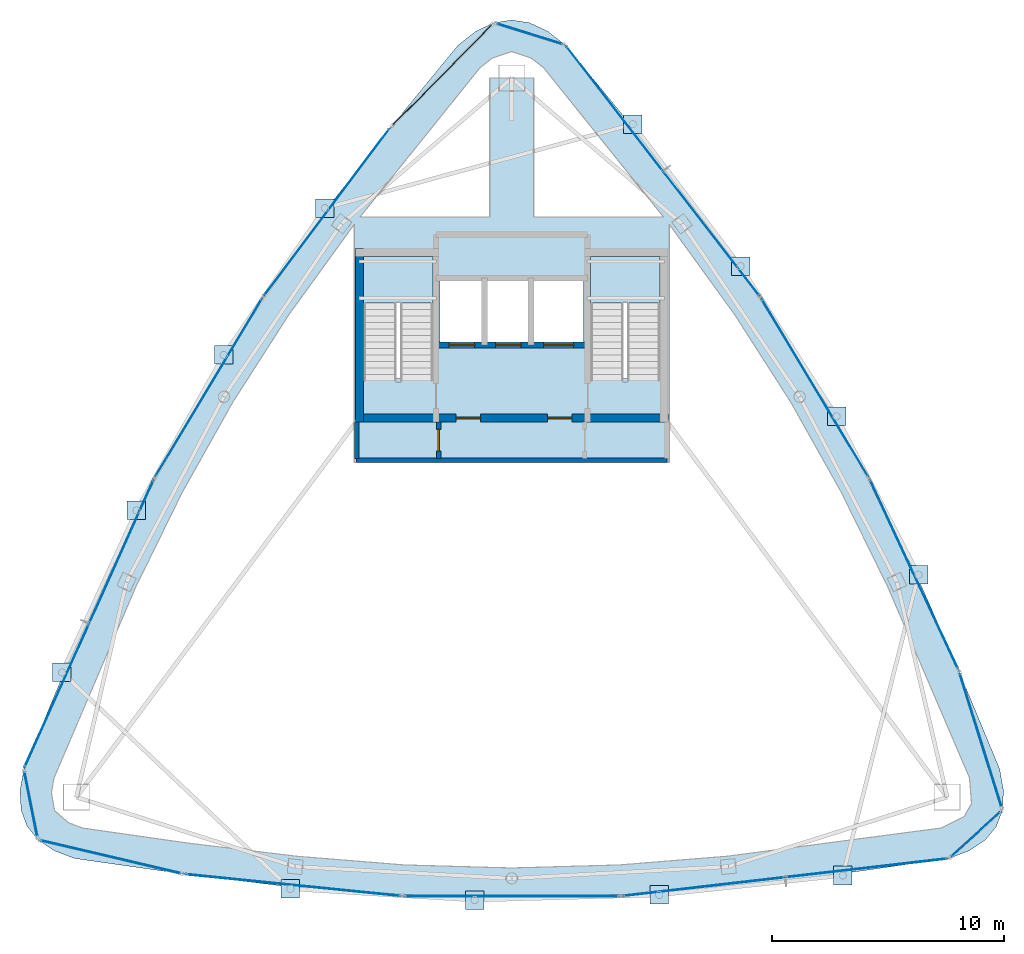
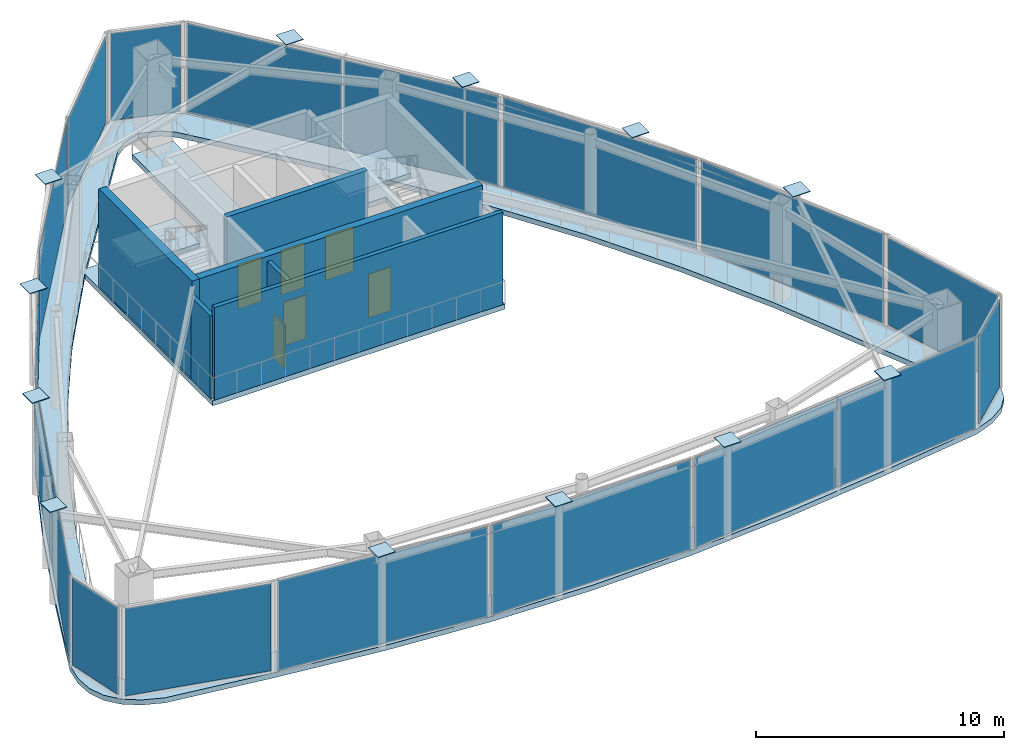
# One storey, part 15 of 19: 30 plates, 6 doors, 6 walls, 3 slabs, 6 openings, 17 elements without a shape of their own.
"""IFC4 building model written with IfcOpenShell, lengths in metres."""

from ifc_helpers import new_model, si_unit, direction, frame, frame_2d, origin, origin_2d, place, context, subcontext, project, spatial, polyline, rectangle, outline, extrude, material, layer, layer_set, type_object, element, fill, aggregate, save


model = new_model("IFC4")

# Units and contexts
model_context = context("Model", 3, precision=1e-05, world=origin(), true_north=direction((0.0, 1.0)))
body_context = subcontext(model_context, "Body", "Model", "MODEL_VIEW")
ifc_project = project(units=[si_unit("LENGTHUNIT", "METRE"), si_unit("AREAUNIT", "SQUARE_METRE"), si_unit("VOLUMEUNIT", "CUBIC_METRE"), si_unit("PLANEANGLEUNIT", "RADIAN"), si_unit("MASSUNIT", "GRAM", prefix="KILO")], contexts=[model_context])

# Site, building, storey
site_placement = place(None, origin())
site = spatial("IfcSite", under=ifc_project, at=site_placement, CompositionType="ELEMENT")
building_placement = place(site_placement, origin())
building = spatial("IfcBuilding", under=site, at=building_placement, Name="Orvanel Arch Residences", CompositionType="ELEMENT")
storey_placement = place(building_placement, frame((0.0, 0.0, 290.89990234375)))
storey = spatial("IfcBuildingStorey", under=building, at=storey_placement, Name="L82", CompositionType="ELEMENT", Elevation=290.89990234375)

# Plates
ifc_material_1 = material(Name="Structural steel AS/NZS 3678 Grade 350", Category="steel")
ifc_layer_1 = layer(ifc_material_1, 0.031982421875)
ifc_layer_set_1 = layer_set([ifc_layer_1], Name="Structural steel AS/NZS 3678 Grade 350")
plate_type_1 = type_object("IfcPlateType", Name="PL-CAP-32", PredefinedType="SHEET", material=ifc_layer_set_1)
for number, where, z_axis, x_axis, name in (
    (1, (24.929931640625, 35.785888671875, 4.7841796875), (0.0, 0.0, 1.0), (1.0, 0.0, 0.0), "L82 hollow member end cap plate"),
    (2, (20.56201171875, 29.446044921875, 4.7841796875), (0.0, 0.0, 1.0), (1.0, 0.0, 0.0), "L82 hollow member end cap plate"),
    (3, (16.794921875, 22.73388671875, 4.7841796875), (0.0, 0.0, 1.0), (1.0, 0.0, 0.0), "L82 hollow member end cap plate"),
    (4, (13.577880859375, 15.740966796875, 4.7841796875), (0.0, 0.0, 1.0), (1.0, 0.0, 0.0), "L82 hollow member end cap plate"),
    (5, (23.44189453125, 6.39404296875, 4.7841796875), (0.0, 0.0, 1.0), (1.0, 0.0, 0.0), "L82 hollow member end cap plate"),
    (6, (31.39892578125, 5.908935546875, 4.7841796875), (0.0, 0.0, 1.0), (1.0, 0.0, 0.0), "L82 hollow member end cap plate"),
    (7, (39.366943359375, 6.131103515625, 4.7841796875), (0.0, 0.0, 1.0), (1.0, 0.0, 0.0), "L82 hollow member end cap plate"),
    (8, (47.29296875, 6.969970703125, 4.7841796875), (0.0, 0.0, 1.0), (1.0, 0.0, 0.0), "L82 hollow member end cap plate"),
    (9, (50.56396484375, 19.9580078125, 4.7841796875), (0.0, 0.0, 1.0), (1.0, 0.0, 0.0), "L82 hollow member end cap plate"),
    (10, (47.027099609375, 26.7958984375, 4.7841796875), (0.0, 0.0, 1.0), (1.0, 0.0, 0.0), "L82 hollow member end cap plate"),
    (11, (42.87890625, 33.280029296875, 4.7841796875), (0.0, 0.0, 1.0), (1.0, 0.0, 0.0), "L82 hollow member end cap plate"),
    (12, (38.22412109375, 39.409912109375, 4.7841796875), (0.0, 0.0, 1.0), (1.0, 0.0, 0.0), "L82 hollow member end cap plate"),
):
    element("IfcPlate", number, at=place(storey_placement, frame(where, z_axis=z_axis, x_axis=x_axis)), inside=storey, type_object=plate_type_1, Name=name, PredefinedType="SHEET", context=body_context, shape_type="SweptSolid", body=[
        extrude(rectangle(XDim=0.800048828125, YDim=0.800048828125, at=origin_2d()), origin(), (0.0, 0.0, 1.0), 0.031982421875),
    ])

# Curtain wall, plate
ifc_material_2 = material(Name="Bronze-anodised aluminium AA6063-T6", Category="aluminium")
ifc_layer_2 = layer(ifc_material_2, 0.2099609375)
ifc_layer_set_2 = layer_set([ifc_layer_2], Name="Bronze-anodised aluminium AA6063-T6")
curtain_wall_type = type_object("IfcCurtainWallType", Name="CW7-TOP-SYS", PredefinedType="NOTDEFINED", material=ifc_layer_set_2)
curtain_wall_1_placement = place(storey_placement, origin())
curtain_wall_1 = element("IfcCurtainWall", 13, at=curtain_wall_1_placement, inside=storey, type_object=curtain_wall_type, Name="L82 CW7-TOP-SYS Unitised Curtain Wall", PredefinedType="NOTDEFINED")
ifc_material_3 = material(Name="Double-glazed solar-control low-E safety glass", Category="glass")
ifc_layer_3 = layer(ifc_material_3, 0.031982421875)
ifc_layer_set_3 = layer_set([ifc_layer_3], Name="Double-glazed solar-control low-E safety glass")
plate_type_2 = type_object("IfcPlateType", Name="PNL-GLZ-32", PredefinedType="CURTAIN_PANEL", material=ifc_layer_set_3)
plate_1_placement = place(storey_placement, frame((33.771484375, 43.30859375, 0.130126953125), z_axis=(0.0, 0.0, 1.0), x_axis=(-0.954819263057, 0.297187104186, 0.0)))
plate_1 = element("IfcPlate", 14, at=plate_1_placement, type_object=plate_type_2, Name="CW-S7 panel 1.1", PredefinedType="CURTAIN_PANEL", context=body_context, shape_type="SweptSolid", body=[
    extrude(rectangle(XDim=2.893310546875, YDim=0.031982421875, at=origin_2d()), origin(), (0.0, 0.0, 1.0), 4.2900390625),
])
aggregate(curtain_wall_1, [plate_1])

curtain_wall_2_placement = place(storey_placement, origin())
curtain_wall_2 = element("IfcCurtainWall", 15, at=curtain_wall_2_placement, inside=storey, type_object=curtain_wall_type, Name="L82 CW7-TOP-SYS Unitised Curtain Wall", PredefinedType="NOTDEFINED")
plate_2_placement = place(storey_placement, frame((29.99560546875, 41.528564453125, 0.130126953125), z_axis=(0.0, 0.0, 1.0), x_axis=(-0.702658700907, -0.71152705503, 0.0)))
plate_2 = element("IfcPlate", 16, at=plate_2_placement, type_object=plate_type_2, Name="CW-S7 panel 1.1", PredefinedType="CURTAIN_PANEL", context=body_context, shape_type="SweptSolid", body=[
    extrude(rectangle(XDim=6.0146484375, YDim=0.031982421875, at=origin_2d()), origin(), (0.0, 0.0, 1.0), 4.2900390625),
])
aggregate(curtain_wall_2, [plate_2])

curtain_wall_3_placement = place(storey_placement, origin())
curtain_wall_3 = element("IfcCurtainWall", 17, at=curtain_wall_3_placement, inside=storey, type_object=curtain_wall_type, Name="L82 CW7-TOP-SYS Unitised Curtain Wall", PredefinedType="NOTDEFINED")
plate_3_placement = place(storey_placement, frame((12.236572265625, 10.03857421875, 0.130126953125), z_axis=(0.0, 0.0, 1.0), x_axis=(0.195615366274, -0.980680696495, 0.0)))
plate_3 = element("IfcPlate", 18, at=plate_3_placement, type_object=plate_type_2, Name="CW-S7 panel 1.1", PredefinedType="CURTAIN_PANEL", context=body_context, shape_type="SweptSolid", body=[
    extrude(rectangle(XDim=2.7724609375, YDim=0.031982421875, at=origin_2d()), origin(), (0.0, 0.0, 1.0), 4.2900390625),
])
aggregate(curtain_wall_3, [plate_3])

curtain_wall_4_placement = place(storey_placement, origin())
curtain_wall_4 = element("IfcCurtainWall", 19, at=curtain_wall_4_placement, inside=storey, type_object=curtain_wall_type, Name="L82 CW7-TOP-SYS Unitised Curtain Wall", PredefinedType="NOTDEFINED")
plate_4_placement = place(storey_placement, frame((15.689453125, 7.77197265625, 0.130126953125), z_axis=(0.0, 0.0, 1.0), x_axis=(0.973510919271, -0.22864052585, 0.0)))
plate_4 = element("IfcPlate", 20, at=plate_4_placement, type_object=plate_type_2, Name="CW-S7 panel 1.1", PredefinedType="CURTAIN_PANEL", context=body_context, shape_type="SweptSolid", body=[
    extrude(rectangle(XDim=6.12939453125, YDim=0.031982421875, at=origin_2d()), origin(), (0.0, 0.0, 1.0), 4.2900390625),
])
aggregate(curtain_wall_4, [plate_4])

curtain_wall_5_placement = place(storey_placement, origin())
curtain_wall_5 = element("IfcCurtainWall", 21, at=curtain_wall_5_placement, inside=storey, type_object=curtain_wall_type, Name="L82 CW7-TOP-SYS Unitised Curtain Wall", PredefinedType="NOTDEFINED")
plate_5_placement = place(storey_placement, frame((53.035400390625, 8.75244140625, 0.130126953125), z_axis=(0.0, 0.0, 1.0), x_axis=(0.740131415499, 0.672462257522, 0.0)))
plate_5 = element("IfcPlate", 22, at=plate_5_placement, type_object=plate_type_2, Name="CW-S7 panel 1.1", PredefinedType="CURTAIN_PANEL", context=body_context, shape_type="SweptSolid", body=[
    extrude(rectangle(XDim=2.773681640625, YDim=0.031982421875, at=origin_2d()), origin(), (0.0, 0.0, 1.0), 4.2900390625),
])
aggregate(curtain_wall_5, [plate_5])

curtain_wall_6_placement = place(storey_placement, origin())
curtain_wall_6 = element("IfcCurtainWall", 23, at=curtain_wall_6_placement, inside=storey, type_object=curtain_wall_type, Name="L82 CW7-TOP-SYS Unitised Curtain Wall", PredefinedType="NOTDEFINED")
plate_6_placement = place(storey_placement, frame((53.2451171875, 12.8095703125, 0.130126953125), z_axis=(0.0, 0.0, 1.0), x_axis=(-0.298901573542, 0.954283945864, 0.0)))
plate_6 = element("IfcPlate", 24, at=plate_6_placement, type_object=plate_type_2, Name="CW-S7 panel 1.1", PredefinedType="CURTAIN_PANEL", context=body_context, shape_type="SweptSolid", body=[
    extrude(rectangle(XDim=5.9697265625, YDim=0.031982421875, at=origin_2d()), origin(), (0.0, 0.0, 1.0), 4.2900390625),
])
aggregate(curtain_wall_6, [plate_6])

curtain_wall_7_placement = place(storey_placement, origin())
curtain_wall_7 = element("IfcCurtainWall", 25, at=curtain_wall_7_placement, inside=storey, type_object=curtain_wall_type, Name="L82 CW7-TOP-SYS Unitised Curtain Wall", PredefinedType="NOTDEFINED")
plate_7_placement = place(storey_placement, frame((25.009521484375, 35.60498046875, 0.065185546875), z_axis=(0.0, 0.0, 1.0), x_axis=(-0.600876351509, -0.799341985759, 0.0)))
plate_7 = element("IfcPlate", 26, at=plate_7_placement, type_object=plate_type_2, Name="CW-S7 panel 1.1", PredefinedType="CURTAIN_PANEL", context=body_context, shape_type="SweptSolid", body=[
    extrude(rectangle(XDim=8.97509765625, YDim=0.031982421875, at=origin_2d()), origin(), (0.0, 0.0, 1.0), 4.419921875),
])
aggregate(curtain_wall_7, [plate_7])

curtain_wall_8_placement = place(storey_placement, origin())
curtain_wall_8 = element("IfcCurtainWall", 27, at=curtain_wall_8_placement, inside=storey, type_object=curtain_wall_type, Name="L82 CW7-TOP-SYS Unitised Curtain Wall", PredefinedType="NOTDEFINED")
plate_8_placement = place(storey_placement, frame((19.912109375, 28.034423828125, 0.065185546875), z_axis=(0.0, 0.0, 1.0), x_axis=(-0.514447133788, -0.857522096821, 0.0)))
plate_8 = element("IfcPlate", 28, at=plate_8_placement, type_object=plate_type_2, Name="CW-S7 panel 1.1", PredefinedType="CURTAIN_PANEL", context=body_context, shape_type="SweptSolid", body=[
    extrude(rectangle(XDim=8.923828125, YDim=0.031982421875, at=origin_2d()), origin(), (0.0, 0.0, 1.0), 4.419921875),
])
aggregate(curtain_wall_8, [plate_8])

# Curtain wall, plates
curtain_wall_9_placement = place(storey_placement, origin())
curtain_wall_9 = element("IfcCurtainWall", 29, at=curtain_wall_9_placement, inside=storey, type_object=curtain_wall_type, Name="L82 CW7-TOP-SYS Unitised Curtain Wall", PredefinedType="NOTDEFINED")
plate_9_placement = place(storey_placement, frame((16.147216796875, 20.96044921875, 0.065185546875), z_axis=(0.0, 0.0, 1.0), x_axis=(-0.40935286193, -0.912376147447, 0.0)))
plate_9 = element("IfcPlate", 30, at=plate_9_placement, type_object=plate_type_2, Name="CW-S7 panel 1.1", PredefinedType="CURTAIN_PANEL", context=body_context, shape_type="SweptSolid", body=[
    extrude(rectangle(XDim=6.751953125, YDim=0.031982421875, at=origin_2d()), origin(), (0.0, 0.0, 1.0), 4.419921875),
])
plate_10_placement = place(storey_placement, frame((13.352783203125, 14.731689453125, 0.065185546875), z_axis=(0.0, 0.0, 1.0), x_axis=(-0.40935286193, -0.912376147447, 0.0)))
plate_10 = element("IfcPlate", 31, at=plate_10_placement, type_object=plate_type_2, Name="CW-S7 panel 2.1", PredefinedType="CURTAIN_PANEL", context=body_context, shape_type="SweptSolid", body=[
    extrude(rectangle(XDim=6.751953125, YDim=0.031982421875, at=origin_2d()), origin(), (0.0, 0.0, 1.0), 4.419921875),
])
aggregate(curtain_wall_9, [plate_9, plate_10])

# Curtain wall, plate
curtain_wall_10_placement = place(storey_placement, origin())
curtain_wall_10 = element("IfcCurtainWall", 32, at=curtain_wall_10_placement, inside=storey, type_object=curtain_wall_type, Name="L82 CW7-TOP-SYS Unitised Curtain Wall", PredefinedType="NOTDEFINED")
plate_11_placement = place(storey_placement, frame((23.55859375, 6.554931640625, 0.065185546875), z_axis=(0.0, 0.0, 1.0), x_axis=(0.994932912487, -0.10054103466, 0.0)))
plate_11 = element("IfcPlate", 33, at=plate_11_placement, type_object=plate_type_2, Name="CW-S7 panel 1.1", PredefinedType="CURTAIN_PANEL", context=body_context, shape_type="SweptSolid", body=[
    extrude(rectangle(XDim=9.298828125, YDim=0.031982421875, at=origin_2d()), origin(), (0.0, 0.0, 1.0), 4.419921875),
])
aggregate(curtain_wall_10, [plate_11])

curtain_wall_11_placement = place(storey_placement, origin())
curtain_wall_11 = element("IfcCurtainWall", 34, at=curtain_wall_11_placement, inside=storey, type_object=curtain_wall_type, Name="L82 CW7-TOP-SYS Unitised Curtain Wall", PredefinedType="NOTDEFINED")
plate_12_placement = place(storey_placement, frame((33.0, 6.077880859375, 0.065185546875), z_axis=(0.0, 0.0, 1.0), x_axis=(1.0, 0.0, 0.0)))
plate_12 = element("IfcPlate", 35, at=plate_12_placement, type_object=plate_type_2, Name="CW-S7 panel 1.1", PredefinedType="CURTAIN_PANEL", context=body_context, shape_type="SweptSolid", body=[
    extrude(rectangle(XDim=9.251953125, YDim=0.031982421875, at=origin_2d()), origin(), (0.0, 0.0, 1.0), 4.419921875),
])
aggregate(curtain_wall_11, [plate_12])

# Curtain wall, plates
curtain_wall_12_placement = place(storey_placement, origin())
curtain_wall_12 = element("IfcCurtainWall", 36, at=curtain_wall_12_placement, inside=storey, type_object=curtain_wall_type, Name="L82 CW7-TOP-SYS Unitised Curtain Wall", PredefinedType="NOTDEFINED")
plate_13_placement = place(storey_placement, frame((41.2900390625, 6.488037109375, 0.065185546875), z_axis=(0.0, 0.0, 1.0), x_axis=(0.9934526127, 0.11424494002, 0.0)))
plate_13 = element("IfcPlate", 37, at=plate_13_placement, type_object=plate_type_2, Name="CW-S7 panel 1.1", PredefinedType="CURTAIN_PANEL", context=body_context, shape_type="SweptSolid", body=[
    extrude(rectangle(XDim=6.9951171875, YDim=0.031982421875, at=origin_2d()), origin(), (0.0, 0.0, 1.0), 4.419921875),
])
plate_14_placement = place(storey_placement, frame((48.31396484375, 7.2958984375, 0.065185546875), z_axis=(0.0, 0.0, 1.0), x_axis=(0.9934526127, 0.11424494002, 0.0)))
plate_14 = element("IfcPlate", 38, at=plate_14_placement, type_object=plate_type_2, Name="CW-S7 panel 2.1", PredefinedType="CURTAIN_PANEL", context=body_context, shape_type="SweptSolid", body=[
    extrude(rectangle(XDim=6.9951171875, YDim=0.031982421875, at=origin_2d()), origin(), (0.0, 0.0, 1.0), 4.419921875),
])
aggregate(curtain_wall_12, [plate_13, plate_14])

# Curtain wall, plate
curtain_wall_13_placement = place(storey_placement, origin())
curtain_wall_13 = element("IfcCurtainWall", 39, at=curtain_wall_13_placement, inside=storey, type_object=curtain_wall_type, Name="L82 CW7-TOP-SYS Unitised Curtain Wall", PredefinedType="NOTDEFINED")
plate_15_placement = place(storey_placement, frame((50.366943359375, 19.973388671875, 0.065185546875), z_axis=(0.0, 0.0, 1.0), x_axis=(-0.422363438385, 0.906426569511, 0.0)))
plate_15 = element("IfcPlate", 40, at=plate_15_placement, type_object=plate_type_2, Name="CW-S7 panel 1.1", PredefinedType="CURTAIN_PANEL", context=body_context, shape_type="SweptSolid", body=[
    extrude(rectangle(XDim=8.974853515625, YDim=0.031982421875, at=origin_2d()), origin(), (0.0, 0.0, 1.0), 4.419921875),
])
aggregate(curtain_wall_13, [plate_15])

curtain_wall_14_placement = place(storey_placement, origin())
curtain_wall_14 = element("IfcCurtainWall", 41, at=curtain_wall_14_placement, inside=storey, type_object=curtain_wall_type, Name="L82 CW7-TOP-SYS Unitised Curtain Wall", PredefinedType="NOTDEFINED")
plate_16_placement = place(storey_placement, frame((46.087890625, 28.034423828125, 0.065185546875), z_axis=(0.0, 0.0, 1.0), x_axis=(-0.514447133788, 0.857522096821, 0.0)))
plate_16 = element("IfcPlate", 42, at=plate_16_placement, type_object=plate_type_2, Name="CW-S7 panel 1.1", PredefinedType="CURTAIN_PANEL", context=body_context, shape_type="SweptSolid", body=[
    extrude(rectangle(XDim=8.923828125, YDim=0.031982421875, at=origin_2d()), origin(), (0.0, 0.0, 1.0), 4.419921875),
])
aggregate(curtain_wall_14, [plate_16])

# Curtain wall, plates
curtain_wall_15_placement = place(storey_placement, origin())
curtain_wall_15 = element("IfcCurtainWall", 43, at=curtain_wall_15_placement, inside=storey, type_object=curtain_wall_type, Name="L82 CW7-TOP-SYS Unitised Curtain Wall", PredefinedType="NOTDEFINED")
plate_17_placement = place(storey_placement, frame((41.619384765625, 34.686279296875, 0.065185546875), z_axis=(0.0, 0.0, 1.0), x_axis=(-0.612259873102, 0.790656592833, 0.0)))
plate_17 = element("IfcPlate", 44, at=plate_17_placement, type_object=plate_type_2, Name="CW-S7 panel 1.1", PredefinedType="CURTAIN_PANEL", context=body_context, shape_type="SweptSolid", body=[
    extrude(rectangle(XDim=6.75146484375, YDim=0.031982421875, at=origin_2d()), origin(), (0.0, 0.0, 1.0), 4.419921875),
])
plate_18_placement = place(storey_placement, frame((37.439697265625, 40.083740234375, 0.065185546875), z_axis=(0.0, 0.0, 1.0), x_axis=(-0.612259873102, 0.790656592833, 0.0)))
plate_18 = element("IfcPlate", 45, at=plate_18_placement, type_object=plate_type_2, Name="CW-S7 panel 2.1", PredefinedType="CURTAIN_PANEL", context=body_context, shape_type="SweptSolid", body=[
    extrude(rectangle(XDim=6.75146484375, YDim=0.031982421875, at=origin_2d()), origin(), (0.0, 0.0, 1.0), 4.419921875),
])
aggregate(curtain_wall_15, [plate_17, plate_18])

# Slab
ifc_material_4 = material(Name="Concrete N40 (40 MPa)", Category="concrete")
ifc_layer_4 = layer(ifc_material_4, 0.25)
ifc_layer_set_4 = layer_set([ifc_layer_4], Name="Concrete N40 (40 MPa)")
slab_type_1 = type_object("IfcSlabType", Name="SLB-CRN-250", PredefinedType="FLOOR", material=ifc_layer_set_4)
slab_1_placement = place(storey_placement, frame((0.0, 0.0, -0.25)))
element("IfcSlab", 46, at=slab_1_placement, inside=storey, type_object=slab_type_1, Name="L82 Crown Conservatory Ring Gallery Slab", PredefinedType="FLOOR", context=body_context, shape_type="SweptSolid", body=[
    extrude(outline(polyline([(35.31494140625, 42.827880859375), (34.54296875, 43.428955078125), (33.77197265625, 43.7890625), (33.0, 43.908935546875), (32.22802734375, 43.7890625), (31.45703125, 43.428955078125), (30.68505859375, 42.827880859375), (27.762939453125, 39.26806640625), (24.927978515625, 35.654052734375), (22.256103515625, 31.94189453125), (19.797119140625, 28.10400390625), (17.568115234375, 24.126953125), (15.552001953125, 20.02197265625), (13.697998046875, 15.820068359375), (11.931884765625, 11.56494140625), (11.76611328125, 10.6220703125), (11.81201171875, 9.799072265625), (12.071044921875, 9.094970703125), (12.541015625, 8.511962890625), (13.222900390625, 8.049072265625), (14.116943359375, 7.7060546875), (18.837890625, 7.031982421875), (23.55908203125, 6.4599609375), (28.279052734375, 6.077880859375), (33.0, 5.944091796875), (37.720947265625, 6.077880859375), (42.44091796875, 6.4599609375), (47.162109375, 7.031982421875), (51.883056640625, 7.7060546875), (52.777099609375, 8.049072265625), (53.458984375, 8.511962890625), (53.928955078125, 9.094970703125), (54.18798828125, 9.799072265625), (54.23388671875, 10.6220703125), (54.068115234375, 11.56494140625), (52.302001953125, 15.820068359375), (50.447998046875, 20.02197265625), (48.431884765625, 24.126953125), (46.202880859375, 28.10400390625), (43.743896484375, 31.94189453125), (41.072021484375, 35.654052734375), (38.237060546875, 39.26806640625), (35.31494140625, 42.827880859375)]), holes=[polyline([(26.60009765625, 28.429931640625), (26.60009765625, 33.699951171875), (29.60009765625, 33.699951171875), (29.60009765625, 28.429931640625), (26.60009765625, 28.429931640625)]), polyline([(36.39990234375, 28.429931640625), (36.39990234375, 33.699951171875), (39.39990234375, 33.699951171875), (39.39990234375, 28.429931640625), (36.39990234375, 28.429931640625)]), polyline([(29.89990234375, 32.64990234375), (31.75, 32.64990234375), (31.75, 29.949951171875), (29.89990234375, 29.949951171875), (29.89990234375, 32.64990234375)]), polyline([(31.89990234375, 32.64990234375), (33.75, 32.64990234375), (33.75, 29.949951171875), (31.89990234375, 29.949951171875), (31.89990234375, 32.64990234375)]), polyline([(33.89990234375, 32.64990234375), (36.10009765625, 32.64990234375), (36.10009765625, 29.949951171875), (33.89990234375, 29.949951171875), (33.89990234375, 32.64990234375)]), polyline([(39.554931640625, 35.39990234375), (33.949951171875, 35.39990234375), (33.949951171875, 41.39794921875), (32.050048828125, 41.39794921875), (32.050048828125, 35.39990234375), (26.445068359375, 35.39990234375), (31.633056640625, 41.85498046875), (32.166015625, 42.27001953125), (33.0, 42.54296875), (33.833984375, 42.27001953125), (34.366943359375, 41.85498046875), (39.554931640625, 35.39990234375)]), polyline([(42.626953125, 31.18310546875), (45.044921875, 27.408935546875), (47.236083984375, 23.4990234375), (49.22412109375, 19.451904296875), (52.763916015625, 11.18505859375), (52.85107421875, 10.075927734375), (52.533935546875, 9.51611328125), (51.5419921875, 9.02099609375), (42.304931640625, 7.802978515625), (37.64697265625, 7.426025390625), (33.0, 7.294921875), (28.35302734375, 7.426025390625), (23.695068359375, 7.802978515625), (19.014892578125, 8.3701171875), (14.4580078125, 9.02099609375), (13.85205078125, 9.25390625), (13.260986328125, 9.76904296875), (13.123046875, 10.5419921875), (13.236083984375, 11.18505859375), (16.77587890625, 19.451904296875), (18.763916015625, 23.4990234375), (20.955078125, 27.408935546875), (23.373046875, 31.18310546875), (26.199951171875, 35.087890625), (26.199951171875, 24.800048828125), (39.800048828125, 24.800048828125), (39.800048828125, 35.087890625), (42.626953125, 31.18310546875)])]), origin(), (0.0, 0.0, 1.0), 0.25),
])

# Stair, slab
ifc_material_5 = material(Name="Precast concrete N50 (50 MPa)", Category="concrete")
stair_type = type_object("IfcStairType", Name="STR-DOG-184", PredefinedType="USERDEFINED", material=ifc_material_5)
stair_1_placement = place(storey_placement, origin())
stair_1 = element("IfcStair", 47, at=stair_1_placement, inside=storey, type_object=stair_type, Name="L82 Fire-Isolated Core Exit Stair 1", ObjectType="TWO_RETURN_STAIR", PredefinedType="USERDEFINED")
ifc_layer_5 = layer(ifc_material_4, 0.199951171875)
ifc_layer_set_5 = layer_set([ifc_layer_5], Name="Concrete N40 (40 MPa)")
slab_type_2 = type_object("IfcSlabType", Name="SLB-LND-200", PredefinedType="LANDING", material=ifc_layer_set_5)
slab_2_placement = place(storey_placement, frame((0.0, 0.0, 2.2001953125)))
slab_2 = element("IfcSlab", 48, at=slab_2_placement, type_object=slab_type_2, Name="ST-1 landing 1", PredefinedType="LANDING", context=body_context, shape_type="SweptSolid", body=[
    extrude(outline(polyline([(29.60009765625, 31.679931640625), (29.60009765625, 33.699951171875), (26.60009765625, 33.699951171875), (26.60009765625, 31.679931640625), (29.60009765625, 31.679931640625)])), origin(), (0.0, 0.0, 1.0), 0.199951171875),
])
aggregate(stair_1, [slab_2])

stair_2_placement = place(storey_placement, origin())
stair_2 = element("IfcStair", 49, at=stair_2_placement, inside=storey, type_object=stair_type, Name="L82 Fire-Isolated Core Exit Stair 2", ObjectType="TWO_RETURN_STAIR", PredefinedType="USERDEFINED")
slab_3_placement = place(storey_placement, frame((0.0, 0.0, 2.2001953125)))
slab_3 = element("IfcSlab", 50, at=slab_3_placement, type_object=slab_type_2, Name="ST-2 landing 1", PredefinedType="LANDING", context=body_context, shape_type="SweptSolid", body=[
    extrude(outline(polyline([(39.39990234375, 31.679931640625), (39.39990234375, 33.699951171875), (36.39990234375, 33.699951171875), (36.39990234375, 31.679931640625), (39.39990234375, 31.679931640625)])), origin(), (0.0, 0.0, 1.0), 0.199951171875),
])
aggregate(stair_2, [slab_3])

# Wall, openings, doors
ifc_material_6 = material(Name="Concrete N50 (50 MPa)", Category="concrete")
ifc_layer_6 = layer(ifc_material_6, 0.25)
ifc_layer_set_6 = layer_set([ifc_layer_6], Name="Concrete N50 (50 MPa)")
wall_type_1 = type_object("IfcWallType", Name="SW-CORE-250", PredefinedType="SHEAR", material=ifc_layer_set_6)
wall_1_placement = place(storey_placement, frame((36.27490234375, 29.875, 0.0), z_axis=(0.0, 0.0, 1.0), x_axis=(-1.0, 0.0, 0.0)))
wall_1 = element("IfcWall", 51, at=wall_1_placement, inside=storey, type_object=wall_type_1, Name="L82 Emergency Lift Front Core Shear Wall", PredefinedType="SHEAR", context=body_context, shape_type="SweptSolid", body=[
    extrude(rectangle(XDim=6.5498046875, YDim=0.25, at=frame_2d((3.27490234375, 0.0))), origin(), (0.0, 0.0, 1.0), 4.800048828125),
])
opening_1_placement = place(wall_1_placement, frame((4.875, 0.0, 0.0)))
opening_1 = element("IfcOpeningElement", 52, at=opening_1_placement, cuts=wall_1, Name="Opening LD-110", PredefinedType="OPENING", context=body_context, shape_type="SweptSolid", body=[
    extrude(rectangle(XDim=1.10009765625, YDim=2.199951171875, at=frame_2d((0.550048828125, 1.10009765625))), frame((0.0, 0.135009765625, 0.0), z_axis=(0.0, -1.0, 0.0), x_axis=(1.0, 0.0, 0.0)), (0.0, 0.0, 1.0), 0.27001953125),
])
opening_2_placement = place(wall_1_placement, frame((2.875, 0.0, 0.0)))
opening_2 = element("IfcOpeningElement", 53, at=opening_2_placement, cuts=wall_1, Name="Opening LD-110", PredefinedType="OPENING", context=body_context, shape_type="SweptSolid", body=[
    extrude(rectangle(XDim=1.10009765625, YDim=2.199951171875, at=frame_2d((0.550048828125, 1.10009765625))), frame((0.0, 0.135009765625, 0.0), z_axis=(0.0, -1.0, 0.0), x_axis=(1.0, 0.0, 0.0)), (0.0, 0.0, 1.0), 0.27001953125),
])
opening_3_placement = place(wall_1_placement, frame((0.60009765625, 0.0, 0.0)))
opening_3 = element("IfcOpeningElement", 54, at=opening_3_placement, cuts=wall_1, Name="Opening LD-130", PredefinedType="OPENING", context=body_context, shape_type="SweptSolid", body=[
    extrude(rectangle(XDim=1.300048828125, YDim=2.199951171875, at=frame_2d((0.64990234375, 1.10009765625))), frame((0.0, 0.135009765625, 0.0), z_axis=(0.0, -1.0, 0.0), x_axis=(1.0, 0.0, 0.0)), (0.0, 0.0, 1.0), 0.27001953125),
])
ifc_material_7 = material(Name="Galvanised steel fire-resisting door assembly", Category="steel")
door_type_1 = type_object("IfcDoorType", Name="DR-LFT-1100", OperationType="NOTDEFINED", PredefinedType="DOOR", material=ifc_material_7)
door_1_placement = place(opening_1_placement, origin())
door_1 = element("IfcDoor", 55, at=door_1_placement, inside=storey, type_object=door_type_1, Name="LD-F1-L82 L82 Lift F1 Sliding Landing Door", OperationType="DOUBLE_DOOR_SLIDING", OverallHeight=2.199951171875, OverallWidth=1.10009765625, PredefinedType="DOOR", context=body_context, shape_type="SweptSolid", body=[
    extrude(rectangle(XDim=1.10009765625, YDim=2.199951171875, at=frame_2d((0.550048828125, 1.10009765625))), frame((0.0, 0.02490234375, 0.0), z_axis=(0.0, -1.0, 0.0), x_axis=(1.0, 0.0, 0.0)), (0.0, 0.0, 1.0), 0.050048828125),
])
fill(opening_1, door_1)
door_2_placement = place(opening_2_placement, origin())
door_2 = element("IfcDoor", 56, at=door_2_placement, inside=storey, type_object=door_type_1, Name="LD-F2-L82 L82 Lift F2 Sliding Landing Door", OperationType="DOUBLE_DOOR_SLIDING", OverallHeight=2.199951171875, OverallWidth=1.10009765625, PredefinedType="DOOR", context=body_context, shape_type="SweptSolid", body=[
    extrude(rectangle(XDim=1.10009765625, YDim=2.199951171875, at=frame_2d((0.550048828125, 1.10009765625))), frame((0.0, 0.02490234375, 0.0), z_axis=(0.0, -1.0, 0.0), x_axis=(1.0, 0.0, 0.0)), (0.0, 0.0, 1.0), 0.050048828125),
])
fill(opening_2, door_2)
door_type_2 = type_object("IfcDoorType", Name="DR-LFT-1300", OperationType="NOTDEFINED", PredefinedType="DOOR", material=ifc_material_7)
door_3_placement = place(opening_3_placement, origin())
door_3 = element("IfcDoor", 57, at=door_3_placement, inside=storey, type_object=door_type_2, Name="LD-G1-L82 L82 Lift G1 Sliding Landing Door", OperationType="DOUBLE_DOOR_SLIDING", OverallHeight=2.199951171875, OverallWidth=1.300048828125, PredefinedType="DOOR", context=body_context, shape_type="SweptSolid", body=[
    extrude(rectangle(XDim=1.300048828125, YDim=2.199951171875, at=frame_2d((0.64990234375, 1.10009765625))), frame((0.0, 0.02490234375, 0.0), z_axis=(0.0, -1.0, 0.0), x_axis=(1.0, 0.0, 0.0)), (0.0, 0.0, 1.0), 0.050048828125),
])
fill(opening_3, door_3)

ifc_layer_7 = layer(ifc_material_6, 0.35009765625)
ifc_layer_set_7 = layer_set([ifc_layer_7], Name="Concrete N50 (50 MPa)")
wall_type_2 = type_object("IfcWallType", Name="SW-CORE-350", PredefinedType="SHEAR", material=ifc_layer_set_7)
wall_2_placement = place(storey_placement, frame((26.25, 26.72509765625, 0.0), z_axis=(0.0, 0.0, 1.0), x_axis=(1.0, 0.0, 0.0)))
wall_2 = element("IfcWall", 58, at=wall_2_placement, inside=storey, type_object=wall_type_2, Name="L82 South Core Shear Wall", PredefinedType="SHEAR", context=body_context, shape_type="SweptSolid", body=[
    extrude(rectangle(XDim=13.5, YDim=0.35009765625, at=frame_2d((6.75, 0.0))), origin(), (0.0, 0.0, 1.0), 4.800048828125),
])
opening_4_placement = place(wall_2_placement, frame((4.35009765625, 0.0, 0.0)))
opening_4 = element("IfcOpeningElement", 59, at=opening_4_placement, cuts=wall_2, Name="Opening DF-060", PredefinedType="OPENING", context=body_context, shape_type="SweptSolid", body=[
    extrude(rectangle(XDim=1.050048828125, YDim=2.14990234375, at=frame_2d((0.52490234375, 1.074951171875))), frame((0.0, 0.18505859375, 0.0), z_axis=(0.0, -1.0, 0.0), x_axis=(1.0, 0.0, 0.0)), (0.0, 0.0, 1.0), 0.3701171875),
])
opening_5_placement = place(wall_2_placement, frame((8.300048828125, 0.0, 0.0)))
opening_5 = element("IfcOpeningElement", 60, at=opening_5_placement, cuts=wall_2, Name="Opening DF-060", PredefinedType="OPENING", context=body_context, shape_type="SweptSolid", body=[
    extrude(rectangle(XDim=1.050048828125, YDim=2.14990234375, at=frame_2d((0.52490234375, 1.074951171875))), frame((0.0, 0.18505859375, 0.0), z_axis=(0.0, -1.0, 0.0), x_axis=(1.0, 0.0, 0.0)), (0.0, 0.0, 1.0), 0.3701171875),
])
door_type_3 = type_object("IfcDoorType", Name="DR-FD60-1050", OperationType="NOTDEFINED", PredefinedType="DOOR", material=ifc_material_7)
door_4_placement = place(opening_4_placement, origin())
door_4 = element("IfcDoor", 61, at=door_4_placement, inside=storey, type_object=door_type_3, Name="DR-L82-FFL-W L82 West Smoke Lobby Door", OperationType="SINGLE_SWING_LEFT", OverallHeight=2.14990234375, OverallWidth=1.050048828125, PredefinedType="DOOR", context=body_context, shape_type="SweptSolid", body=[
    extrude(rectangle(XDim=1.050048828125, YDim=2.14990234375, at=frame_2d((0.52490234375, 1.074951171875))), frame((0.0, 0.02490234375, 0.0), z_axis=(0.0, -1.0, 0.0), x_axis=(1.0, 0.0, 0.0)), (0.0, 0.0, 1.0), 0.050048828125),
])
fill(opening_4, door_4)
door_5_placement = place(opening_5_placement, origin())
door_5 = element("IfcDoor", 62, at=door_5_placement, inside=storey, type_object=door_type_3, Name="DR-L82-FFL-E L82 East Smoke Lobby Door", OperationType="SINGLE_SWING_RIGHT", OverallHeight=2.14990234375, OverallWidth=1.050048828125, PredefinedType="DOOR", context=body_context, shape_type="SweptSolid", body=[
    extrude(rectangle(XDim=1.050048828125, YDim=2.14990234375, at=frame_2d((0.52490234375, 1.074951171875))), frame((0.0, 0.02490234375, 0.0), z_axis=(0.0, -1.0, 0.0), x_axis=(1.0, 0.0, 0.0)), (0.0, 0.0, 1.0), 0.050048828125),
])
fill(opening_5, door_5)

# Walls
wall_3_placement = place(storey_placement, frame((26.425048828125, 26.550048828125, 0.0), z_axis=(0.0, 0.0, 1.0), x_axis=(0.0, 1.0, 0.0)))
element("IfcWall", 63, at=wall_3_placement, inside=storey, type_object=wall_type_2, Name="L82 West Stair Shear Wall", PredefinedType="SHEAR", context=body_context, shape_type="SweptSolid", body=[
    extrude(rectangle(XDim=7.5, YDim=0.35009765625, at=frame_2d((3.75, 0.0))), origin(), (0.0, 0.0, 1.0), 4.800048828125),
])
ifc_material_8 = material(Name="Fire-rated plasterboard lined steel stud partition", Category="steel")
ifc_layer_8 = layer(ifc_material_8, 0.199951171875)
ifc_layer_set_8 = layer_set([ifc_layer_8], Name="Fire-rated plasterboard lined steel stud partition")
wall_type_3 = type_object("IfcWallType", Name="W-PLT-200", PredefinedType="PARTITIONING", material=ifc_layer_set_8)
wall_4_placement = place(storey_placement, frame((26.300048828125, 24.89990234375, 0.0), z_axis=(0.0, 0.0, 1.0), x_axis=(1.0, 0.0, 0.0)))
element("IfcWall", 64, at=wall_4_placement, inside=storey, type_object=wall_type_3, Name="L82 Crown Plant Apron South Wall", PredefinedType="PARTITIONING", context=body_context, shape_type="SweptSolid", body=[
    extrude(rectangle(XDim=13.39990234375, YDim=0.199951171875, at=frame_2d((6.699951171875, 0.0))), origin(), (0.0, 0.0, 1.0), 4.550048828125),
])
wall_5_placement = place(storey_placement, frame((26.300048828125, 24.985107421875, 0.0), z_axis=(0.0, 0.0, 1.0), x_axis=(0.0, 1.0, 0.0)))
element("IfcWall", 65, at=wall_5_placement, inside=storey, type_object=wall_type_3, Name="L82 Crown Plant Apron West Wall", PredefinedType="PARTITIONING", context=body_context, shape_type="SweptSolid", body=[
    extrude(rectangle(XDim=1.56494140625, YDim=0.199951171875, at=frame_2d((0.782470703125, 0.0))), origin(), (0.0, 0.0, 1.0), 4.05517578125),
])

# Wall, opening, door
wall_6_placement = place(storey_placement, frame((29.85009765625, 24.985107421875, 0.0), z_axis=(0.0, 0.0, 1.0), x_axis=(0.0, 1.0, 0.0)))
wall_6 = element("IfcWall", 66, at=wall_6_placement, inside=storey, type_object=wall_type_3, Name="L82 West Crown Mechanical Plant Wall", PredefinedType="PARTITIONING", context=body_context, shape_type="SweptSolid", body=[
    extrude(rectangle(XDim=1.56494140625, YDim=0.199951171875, at=frame_2d((0.782470703125, 0.0))), origin(), (0.0, 0.0, 1.0), 4.550048828125),
])
opening_6_placement = place(wall_6_placement, frame((0.322998046875, 0.0, 0.0)))
opening_6 = element("IfcOpeningElement", 67, at=opening_6_placement, cuts=wall_6, Name="Opening DA-092", PredefinedType="OPENING", context=body_context, shape_type="SweptSolid", body=[
    extrude(rectangle(XDim=0.919921875, YDim=2.14990234375, at=frame_2d((0.4599609375, 1.074951171875))), frame((0.0, 0.10986328125, 0.0), z_axis=(0.0, -1.0, 0.0), x_axis=(1.0, 0.0, 0.0)), (0.0, 0.0, 1.0), 0.219970703125),
])
ifc_material_9 = material(Name="Solid-core European oak veneer fire door leaf", Category="wood")
door_type_4 = type_object("IfcDoorType", Name="DR-APT-920", OperationType="NOTDEFINED", PredefinedType="DOOR", material=ifc_material_9)
door_6_placement = place(opening_6_placement, origin())
door_6 = element("IfcDoor", 68, at=door_6_placement, inside=storey, type_object=door_type_4, Name="DR-L82-CRNW L82 West Crown Winter Garden Mechanical Plant Door", OperationType="SINGLE_SWING_LEFT", OverallHeight=2.14990234375, OverallWidth=0.919921875, PredefinedType="DOOR", context=body_context, shape_type="SweptSolid", body=[
    extrude(rectangle(XDim=0.919921875, YDim=2.14990234375, at=frame_2d((0.4599609375, 1.074951171875))), frame((0.0, 0.02490234375, 0.0), z_axis=(0.0, -1.0, 0.0), x_axis=(1.0, 0.0, 0.0)), (0.0, 0.0, 1.0), 0.050048828125),
])
fill(opening_6, door_6)

save(model, "model.ifc")
